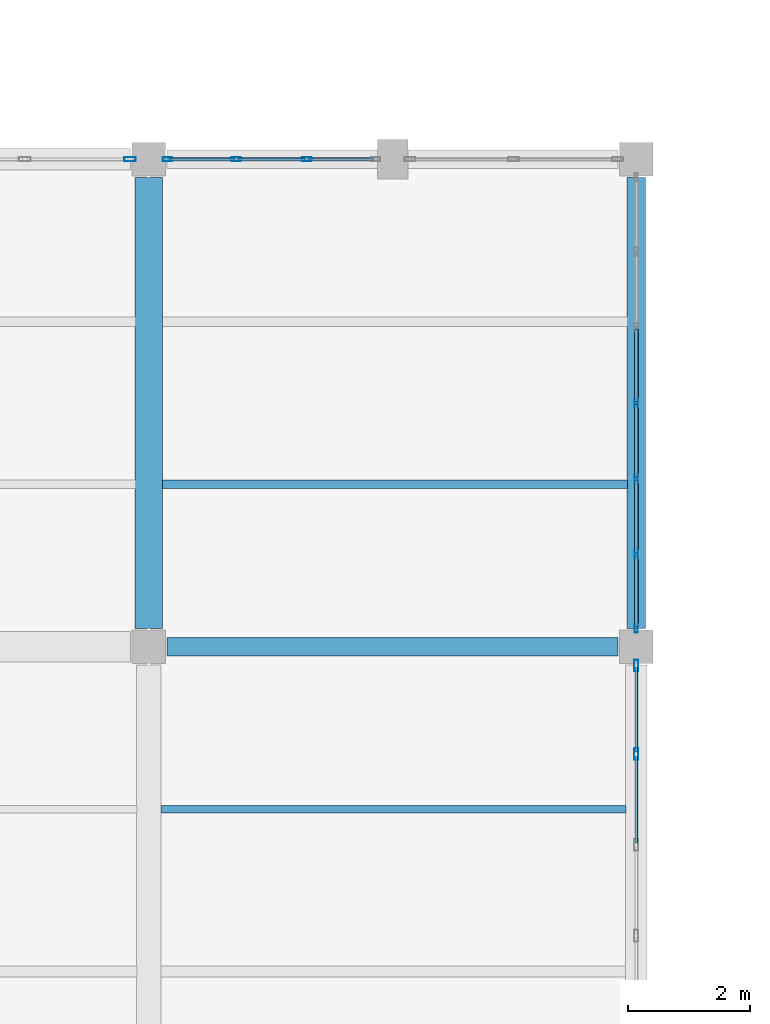
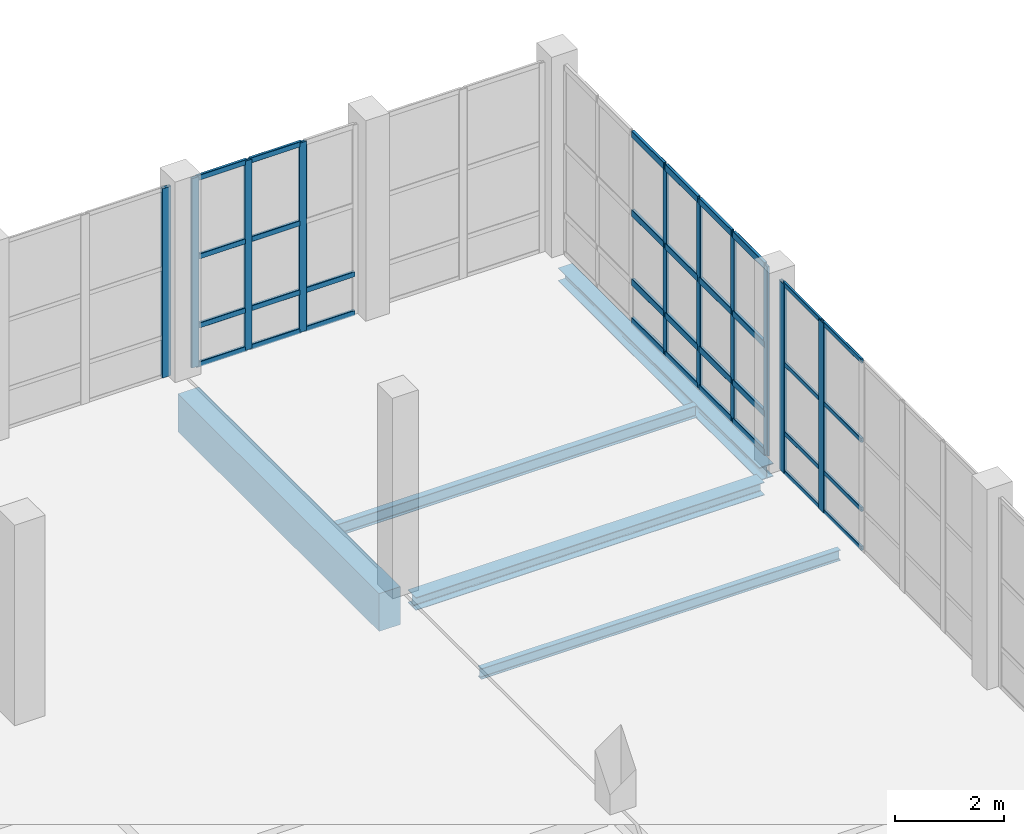
# One storey, part 34 of 183: 44 members, 5 beams, 4 elements without a shape of their own.
"""IFC4 building model written with IfcOpenShell, lengths in metres."""

from ifc_helpers import new_model, si_unit, direction, frame, origin, origin_2d, place, context, subcontext, project, spatial, rectangle, hollow_rectangle, i_section, extrude, material, material_profile, profile_set, type_object, element, aggregate, save


model = new_model("IFC4")

# Units and contexts
model_context = context("Model", 3, precision=1e-05, world=origin(), true_north=direction((0.0, 1.0)))
body_context = subcontext(model_context, "Body", "Model", "MODEL_VIEW")
ifc_project = project(units=[si_unit("LENGTHUNIT", "METRE"), si_unit("AREAUNIT", "SQUARE_METRE"), si_unit("VOLUMEUNIT", "CUBIC_METRE"), si_unit("PLANEANGLEUNIT", "RADIAN"), si_unit("MASSUNIT", "GRAM", prefix="KILO")], contexts=[model_context])

# Site, building, storey
site_placement = place(None, origin())
site = spatial("IfcSite", under=ifc_project, at=site_placement, CompositionType="ELEMENT")
building_placement = place(site_placement, origin())
building = spatial("IfcBuilding", under=site, at=building_placement, Name="Luwemba Playhouse", CompositionType="ELEMENT")
storey_placement = place(building_placement, frame((0.0, 0.0, 4.800048828125)))
storey = spatial("IfcBuildingStorey", under=building, at=storey_placement, Name="L01", CompositionType="ELEMENT", Elevation=4.800048828125)

# Beams
ifc_material_1 = material(Name="Concrete C40/50", Category="concrete")
ifc_material_profile_1 = material_profile(ifc_material_1, rectangle(XDim=0.449951171875, YDim=0.85009765625, at=origin_2d()))
ifc_profile_set_1 = profile_set([ifc_material_profile_1], Name="Concrete C40/50")
beam_type_1 = type_object("IfcBeamType", Name="BM-RB05", PredefinedType="BEAM", material=ifc_profile_set_1)
beam_1_placement = place(storey_placement, frame((52.0, 19.300048828125, -0.675048828125), z_axis=(0.0, 1.0, 0.0), x_axis=(-1.0, 0.0, 0.0)))
element("IfcBeam", 1, at=beam_1_placement, inside=storey, type_object=beam_type_1, Name="L01 transverse girder 0515", PredefinedType="BEAM", context=body_context, shape_type="SweptSolid", body=[
    extrude(rectangle(XDim=0.449951171875, YDim=0.85009765625, at=origin_2d()), origin(), (0.0, 0.0, 1.0), 7.39990234375),
])
ifc_material_2 = material(Name="Steel S355", Category="steel")
ifc_material_profile_2 = material_profile(ifc_material_2, i_section(OverallWidth=0.300048828125, OverallDepth=0.2900390625, WebThickness=0.008544921875, FlangeThickness=0.013916015625, FilletRadius=0.027099609375, at=origin_2d()))
ifc_profile_set_2 = profile_set([ifc_material_profile_2], Name="Steel S355")
beam_type_2 = type_object("IfcBeamType", Name="BM-SB03", PredefinedType="BEAM", material=ifc_profile_set_2)
beam_2_placement = place(storey_placement, frame((52.300048828125, 19.0, -0.39501953125), z_axis=(1.0, 0.0, 0.0), x_axis=(0.0, 1.0, 0.0)))
element("IfcBeam", 2, at=beam_2_placement, inside=storey, type_object=beam_type_2, Name="L01 grid girder 0488", PredefinedType="BEAM", context=body_context, shape_type="SweptSolid", body=[
    extrude(i_section(OverallWidth=0.300048828125, OverallDepth=0.2900390625, WebThickness=0.008544921875, FlangeThickness=0.013916015625, FilletRadius=0.027099609375, at=origin_2d()), origin(), (0.0, 0.0, 1.0), 7.39990234375),
])
ifc_material_profile_3 = material_profile(ifc_material_2, i_section(OverallWidth=0.1201171875, OverallDepth=0.239990234375, WebThickness=0.006103515625, FlangeThickness=0.009765625, FilletRadius=0.014892578125, at=origin_2d()))
ifc_profile_set_3 = profile_set([ifc_material_profile_3], Name="Steel S355")
beam_type_3 = type_object("IfcBeamType", Name="BM-SJ03", PredefinedType="JOIST", material=ifc_profile_set_3)
beam_3_placement = place(storey_placement, frame((52.196044921875, 16.333251953125, -0.3701171875), z_axis=(1.0, 0.0, 0.0), x_axis=(0.0, 1.0, 0.0)))
element("IfcBeam", 3, at=beam_3_placement, inside=storey, type_object=beam_type_3, Name="L01 composite floor joist 0304", PredefinedType="JOIST", context=body_context, shape_type="SweptSolid", body=[
    extrude(i_section(OverallWidth=0.1201171875, OverallDepth=0.239990234375, WebThickness=0.006103515625, FlangeThickness=0.009765625, FilletRadius=0.014892578125, at=origin_2d()), origin(), (0.0, 0.0, 1.0), 7.633056640625),
])
ifc_material_profile_4 = material_profile(ifc_material_2, i_section(OverallWidth=0.135009765625, OverallDepth=0.27001953125, WebThickness=0.006591796875, FlangeThickness=0.01025390625, FilletRadius=0.014892578125, at=origin_2d()))
ifc_profile_set_4 = profile_set([ifc_material_profile_4], Name="Steel S355")
beam_type_4 = type_object("IfcBeamType", Name="BM-SJ04", PredefinedType="JOIST", material=ifc_profile_set_4)
beam_4_placement = place(storey_placement, frame((52.220947265625, 21.666748046875, -0.385009765625), z_axis=(1.0, 0.0, 0.0), x_axis=(0.0, 1.0, 0.0)))
element("IfcBeam", 4, at=beam_4_placement, inside=storey, type_object=beam_type_4, Name="L01 composite floor joist 0305", PredefinedType="JOIST", context=body_context, shape_type="SweptSolid", body=[
    extrude(i_section(OverallWidth=0.135009765625, OverallDepth=0.27001953125, WebThickness=0.006591796875, FlangeThickness=0.01025390625, FilletRadius=0.014892578125, at=origin_2d()), origin(), (0.0, 0.0, 1.0), 7.633056640625),
])
ifc_material_profile_5 = material_profile(ifc_material_2, i_section(OverallWidth=0.300048828125, OverallDepth=0.300048828125, WebThickness=0.010986328125, FlangeThickness=0.01904296875, FilletRadius=0.027099609375, at=origin_2d()))
ifc_profile_set_5 = profile_set([ifc_material_profile_5], Name="Steel S355")
beam_type_5 = type_object("IfcBeamType", Name="BM-SSP1", PredefinedType="SPANDREL", material=ifc_profile_set_5)
beam_5_placement = place(storey_placement, frame((60.0, 19.300048828125, -0.400146484375), z_axis=(0.0, 1.0, 0.0), x_axis=(-1.0, 0.0, 0.0)))
element("IfcBeam", 5, at=beam_5_placement, inside=storey, type_object=beam_type_5, Name="L01 transverse girder 0518", PredefinedType="SPANDREL", context=body_context, shape_type="SweptSolid", body=[
    extrude(i_section(OverallWidth=0.300048828125, OverallDepth=0.300048828125, WebThickness=0.010986328125, FlangeThickness=0.01904296875, FilletRadius=0.027099609375, at=origin_2d()), origin(), (0.0, 0.0, 1.0), 7.39990234375),
])

# Curtain wall, members
ifc_material_3 = material(Name="Solar-control double glazing", Category="glass")
curtain_wall_type_1 = type_object("IfcCurtainWallType", Name="CW-CW103", PredefinedType="USERDEFINED", material=ifc_material_3)
curtain_wall_1_placement = place(storey_placement, origin())
curtain_wall_1 = element("IfcCurtainWall", 6, at=curtain_wall_1_placement, inside=storey, type_object=curtain_wall_type_1, Name="L01 V5W unitised curtain wall 134", ObjectType="UNITISED GLAZING", PredefinedType="USERDEFINED")
ifc_material_4 = material(Name="Aluminium 6063-T6", Category="aluminium")
ifc_material_profile_6 = material_profile(ifc_material_4, hollow_rectangle(XDim=0.06005859375, YDim=0.159912109375, WallThickness=0.00390625, InnerFilletRadius=0.006103515625, OuterFilletRadius=0.010009765625, at=origin_2d()))
ifc_profile_set_6 = profile_set([ifc_material_profile_6], Name="Aluminium 6063-T6")
member_type_1 = type_object("IfcMemberType", Name="CWM-M1", PredefinedType="MULLION", material=ifc_profile_set_6)
member_1_placement = place(storey_placement, frame((52.304931640625, 27.0, 0.0), z_axis=(0.0, 0.0, 1.0), x_axis=(0.0, 1.0, 0.0)))
member_1 = element("IfcMember", 7, at=member_1_placement, type_object=member_type_1, Name="CW103 mullion 1", PredefinedType="MULLION", context=body_context, shape_type="SweptSolid", body=[
    extrude(hollow_rectangle(XDim=0.06005859375, YDim=0.159912109375, WallThickness=0.00390625, InnerFilletRadius=0.006103515625, OuterFilletRadius=0.010009765625, at=origin_2d()), origin(), (0.0, 0.0, 1.0), 4.25),
])
member_2_placement = place(storey_placement, frame((53.433349609375, 27.0, 0.0), z_axis=(0.0, 0.0, 1.0), x_axis=(0.0, 1.0, 0.0)))
member_2 = element("IfcMember", 8, at=member_2_placement, type_object=member_type_1, Name="CW103 mullion 2", PredefinedType="MULLION", context=body_context, shape_type="SweptSolid", body=[
    extrude(hollow_rectangle(XDim=0.06005859375, YDim=0.159912109375, WallThickness=0.00390625, InnerFilletRadius=0.006103515625, OuterFilletRadius=0.010009765625, at=origin_2d()), origin(), (0.0, 0.0, 1.0), 4.25),
])
member_3_placement = place(storey_placement, frame((54.591552734375, 27.0, 0.0), z_axis=(0.0, 0.0, 1.0), x_axis=(0.0, 1.0, 0.0)))
member_3 = element("IfcMember", 9, at=member_3_placement, type_object=member_type_1, Name="CW103 mullion 3", PredefinedType="MULLION", context=body_context, shape_type="SweptSolid", body=[
    extrude(hollow_rectangle(XDim=0.06005859375, YDim=0.159912109375, WallThickness=0.00390625, InnerFilletRadius=0.006103515625, OuterFilletRadius=0.010009765625, at=origin_2d()), origin(), (0.0, 0.0, 1.0), 4.25),
])

curtain_wall_type_2 = type_object("IfcCurtainWallType", Name="CW-CW105", PredefinedType="USERDEFINED", material=ifc_material_3)
curtain_wall_2_placement = place(storey_placement, origin())
curtain_wall_2 = element("IfcCurtainWall", 10, at=curtain_wall_2_placement, inside=storey, type_object=curtain_wall_type_2, Name="L01 V5W unitised curtain wall 136", ObjectType="UNITISED GLAZING", PredefinedType="USERDEFINED")
ifc_material_profile_7 = material_profile(ifc_material_4, hollow_rectangle(XDim=0.054931640625, YDim=0.139892578125, WallThickness=0.00390625, InnerFilletRadius=0.006103515625, OuterFilletRadius=0.010009765625, at=origin_2d()))
ifc_profile_set_7 = profile_set([ifc_material_profile_7], Name="Aluminium 6063-T6")
member_type_2 = type_object("IfcMemberType", Name="CWM-M3", PredefinedType="MULLION", material=ifc_profile_set_7)
member_4_placement = place(storey_placement, frame((60.0, 23.0, 0.0), z_axis=(0.0, 0.0, 1.0), x_axis=(1.0, 0.0, 0.0)))
member_4 = element("IfcMember", 11, at=member_4_placement, type_object=member_type_2, Name="CW105 mullion 4", PredefinedType="MULLION", context=body_context, shape_type="SweptSolid", body=[
    extrude(hollow_rectangle(XDim=0.054931640625, YDim=0.139892578125, WallThickness=0.00390625, InnerFilletRadius=0.006103515625, OuterFilletRadius=0.010009765625, at=origin_2d()), origin(), (0.0, 0.0, 1.0), 4.25),
])
member_5_placement = place(storey_placement, frame((60.0, 21.75830078125, 0.0), z_axis=(0.0, 0.0, 1.0), x_axis=(1.0, 0.0, 0.0)))
member_5 = element("IfcMember", 12, at=member_5_placement, type_object=member_type_2, Name="CW105 mullion 5", PredefinedType="MULLION", context=body_context, shape_type="SweptSolid", body=[
    extrude(hollow_rectangle(XDim=0.054931640625, YDim=0.139892578125, WallThickness=0.00390625, InnerFilletRadius=0.006103515625, OuterFilletRadius=0.010009765625, at=origin_2d()), origin(), (0.0, 0.0, 1.0), 4.25),
])
member_6_placement = place(storey_placement, frame((60.0, 20.5166015625, 0.0), z_axis=(0.0, 0.0, 1.0), x_axis=(1.0, 0.0, 0.0)))
member_6 = element("IfcMember", 13, at=member_6_placement, type_object=member_type_2, Name="CW105 mullion 6", PredefinedType="MULLION", context=body_context, shape_type="SweptSolid", body=[
    extrude(hollow_rectangle(XDim=0.054931640625, YDim=0.139892578125, WallThickness=0.00390625, InnerFilletRadius=0.006103515625, OuterFilletRadius=0.010009765625, at=origin_2d()), origin(), (0.0, 0.0, 1.0), 4.25),
])
member_7_placement = place(storey_placement, frame((60.0, 19.302490234375, 0.0), z_axis=(0.0, 0.0, 1.0), x_axis=(1.0, 0.0, 0.0)))
member_7 = element("IfcMember", 14, at=member_7_placement, type_object=member_type_2, Name="CW105 mullion 7", PredefinedType="MULLION", context=body_context, shape_type="SweptSolid", body=[
    extrude(hollow_rectangle(XDim=0.054931640625, YDim=0.139892578125, WallThickness=0.00390625, InnerFilletRadius=0.006103515625, OuterFilletRadius=0.010009765625, at=origin_2d()), origin(), (0.0, 0.0, 1.0), 4.25),
])

# Curtain wall, member
curtain_wall_type_3 = type_object("IfcCurtainWallType", Name="CW-CW102", PredefinedType="USERDEFINED", material=ifc_material_3)
curtain_wall_3_placement = place(storey_placement, origin())
curtain_wall_3 = element("IfcCurtainWall", 15, at=curtain_wall_3_placement, inside=storey, type_object=curtain_wall_type_3, Name="L01 V5W unitised curtain wall 133", ObjectType="UNITISED GLAZING", PredefinedType="USERDEFINED")
ifc_material_profile_8 = material_profile(ifc_material_4, hollow_rectangle(XDim=0.070068359375, YDim=0.18994140625, WallThickness=0.0048828125, InnerFilletRadius=0.007568359375, OuterFilletRadius=0.012451171875, at=origin_2d()))
ifc_profile_set_8 = profile_set([ifc_material_profile_8], Name="Aluminium 6063-T6")
member_type_3 = type_object("IfcMemberType", Name="CWM-M4", PredefinedType="MULLION", material=ifc_profile_set_8)
member_8_placement = place(storey_placement, frame((51.68994140625, 27.0, 0.0), z_axis=(0.0, 0.0, 1.0), x_axis=(0.0, 1.0, 0.0)))
member_8 = element("IfcMember", 16, at=member_8_placement, type_object=member_type_3, Name="CW102 mullion 3", PredefinedType="MULLION", context=body_context, shape_type="SweptSolid", body=[
    extrude(hollow_rectangle(XDim=0.070068359375, YDim=0.18994140625, WallThickness=0.0048828125, InnerFilletRadius=0.007568359375, OuterFilletRadius=0.012451171875, at=origin_2d()), origin(), (0.0, 0.0, 1.0), 4.25),
])
aggregate(curtain_wall_3, [member_8])

# Curtain wall, members
curtain_wall_type_4 = type_object("IfcCurtainWallType", Name="CW-CW73", PredefinedType="USERDEFINED", material=ifc_material_3)
curtain_wall_4_placement = place(storey_placement, origin())
curtain_wall_4 = element("IfcCurtainWall", 17, at=curtain_wall_4_placement, inside=storey, type_object=curtain_wall_type_4, Name="L01 V5W unitised curtain wall 137", ObjectType="UNITISED GLAZING", PredefinedType="USERDEFINED")
member_9_placement = place(storey_placement, frame((60.0, 18.68994140625, 0.0), z_axis=(0.0, 0.0, 1.0), x_axis=(1.0, 0.0, 0.0)))
member_9 = element("IfcMember", 18, at=member_9_placement, type_object=member_type_3, Name="CW73 mullion 1", PredefinedType="MULLION", context=body_context, shape_type="SweptSolid", body=[
    extrude(hollow_rectangle(XDim=0.070068359375, YDim=0.18994140625, WallThickness=0.0048828125, InnerFilletRadius=0.007568359375, OuterFilletRadius=0.012451171875, at=origin_2d()), origin(), (0.0, 0.0, 1.0), 4.25),
])
member_10_placement = place(storey_placement, frame((60.0, 17.235107421875, 0.0), z_axis=(0.0, 0.0, 1.0), x_axis=(1.0, 0.0, 0.0)))
member_10 = element("IfcMember", 19, at=member_10_placement, type_object=member_type_3, Name="CW73 mullion 2", PredefinedType="MULLION", context=body_context, shape_type="SweptSolid", body=[
    extrude(hollow_rectangle(XDim=0.070068359375, YDim=0.18994140625, WallThickness=0.0048828125, InnerFilletRadius=0.007568359375, OuterFilletRadius=0.012451171875, at=origin_2d()), origin(), (0.0, 0.0, 1.0), 4.25),
])

# Member
ifc_material_profile_9 = material_profile(ifc_material_4, hollow_rectangle(XDim=0.06005859375, YDim=0.1201171875, WallThickness=0.00390625, InnerFilletRadius=0.006103515625, OuterFilletRadius=0.010009765625, at=origin_2d()))
ifc_profile_set_9 = profile_set([ifc_material_profile_9], Name="Aluminium 6063-T6")
member_type_4 = type_object("IfcMemberType", Name="CWT-T1", PredefinedType="USERDEFINED", material=ifc_profile_set_9)
member_11_placement = place(storey_placement, frame((52.3349609375, 27.0, 0.030029296875), z_axis=(1.0, 0.0, 0.0), x_axis=(0.0, 1.0, 0.0)))
member_11 = element("IfcMember", 20, at=member_11_placement, type_object=member_type_4, Name="CW103 transom 1.1", ObjectType="TRANSOM", PredefinedType="USERDEFINED", context=body_context, shape_type="SweptSolid", body=[
    extrude(hollow_rectangle(XDim=0.06005859375, YDim=0.1201171875, WallThickness=0.00390625, InnerFilletRadius=0.006103515625, OuterFilletRadius=0.010009765625, at=origin_2d()), origin(), (0.0, 0.0, 1.0), 1.068359375),
])

member_12_placement = place(storey_placement, frame((52.3349609375, 27.0, 0.89990234375), z_axis=(1.0, 0.0, 0.0), x_axis=(0.0, 1.0, 0.0)))
member_12 = element("IfcMember", 21, at=member_12_placement, type_object=member_type_4, Name="CW103 transom 1.2", ObjectType="TRANSOM", PredefinedType="USERDEFINED", context=body_context, shape_type="SweptSolid", body=[
    extrude(hollow_rectangle(XDim=0.06005859375, YDim=0.1201171875, WallThickness=0.00390625, InnerFilletRadius=0.006103515625, OuterFilletRadius=0.010009765625, at=origin_2d()), origin(), (0.0, 0.0, 1.0), 1.068359375),
])

member_13_placement = place(storey_placement, frame((52.3349609375, 27.0, 2.449951171875), z_axis=(1.0, 0.0, 0.0), x_axis=(0.0, 1.0, 0.0)))
member_13 = element("IfcMember", 22, at=member_13_placement, type_object=member_type_4, Name="CW103 transom 1.3", ObjectType="TRANSOM", PredefinedType="USERDEFINED", context=body_context, shape_type="SweptSolid", body=[
    extrude(hollow_rectangle(XDim=0.06005859375, YDim=0.1201171875, WallThickness=0.00390625, InnerFilletRadius=0.006103515625, OuterFilletRadius=0.010009765625, at=origin_2d()), origin(), (0.0, 0.0, 1.0), 1.068359375),
])

member_14_placement = place(storey_placement, frame((52.3349609375, 27.0, 4.219970703125), z_axis=(1.0, 0.0, 0.0), x_axis=(0.0, 1.0, 0.0)))
member_14 = element("IfcMember", 23, at=member_14_placement, type_object=member_type_4, Name="CW103 transom 1.4", ObjectType="TRANSOM", PredefinedType="USERDEFINED", context=body_context, shape_type="SweptSolid", body=[
    extrude(hollow_rectangle(XDim=0.06005859375, YDim=0.1201171875, WallThickness=0.00390625, InnerFilletRadius=0.006103515625, OuterFilletRadius=0.010009765625, at=origin_2d()), origin(), (0.0, 0.0, 1.0), 1.068359375),
])

member_15_placement = place(storey_placement, frame((53.46337890625, 27.0, 0.030029296875), z_axis=(1.0, 0.0, 0.0), x_axis=(0.0, 1.0, 0.0)))
member_15 = element("IfcMember", 24, at=member_15_placement, type_object=member_type_4, Name="CW103 transom 2.1", ObjectType="TRANSOM", PredefinedType="USERDEFINED", context=body_context, shape_type="SweptSolid", body=[
    extrude(hollow_rectangle(XDim=0.06005859375, YDim=0.1201171875, WallThickness=0.00390625, InnerFilletRadius=0.006103515625, OuterFilletRadius=0.010009765625, at=origin_2d()), origin(), (0.0, 0.0, 1.0), 1.098388671875),
])

member_16_placement = place(storey_placement, frame((53.46337890625, 27.0, 0.89990234375), z_axis=(1.0, 0.0, 0.0), x_axis=(0.0, 1.0, 0.0)))
member_16 = element("IfcMember", 25, at=member_16_placement, type_object=member_type_4, Name="CW103 transom 2.2", ObjectType="TRANSOM", PredefinedType="USERDEFINED", context=body_context, shape_type="SweptSolid", body=[
    extrude(hollow_rectangle(XDim=0.06005859375, YDim=0.1201171875, WallThickness=0.00390625, InnerFilletRadius=0.006103515625, OuterFilletRadius=0.010009765625, at=origin_2d()), origin(), (0.0, 0.0, 1.0), 1.098388671875),
])

member_17_placement = place(storey_placement, frame((53.46337890625, 27.0, 2.449951171875), z_axis=(1.0, 0.0, 0.0), x_axis=(0.0, 1.0, 0.0)))
member_17 = element("IfcMember", 26, at=member_17_placement, type_object=member_type_4, Name="CW103 transom 2.3", ObjectType="TRANSOM", PredefinedType="USERDEFINED", context=body_context, shape_type="SweptSolid", body=[
    extrude(hollow_rectangle(XDim=0.06005859375, YDim=0.1201171875, WallThickness=0.00390625, InnerFilletRadius=0.006103515625, OuterFilletRadius=0.010009765625, at=origin_2d()), origin(), (0.0, 0.0, 1.0), 1.098388671875),
])

member_18_placement = place(storey_placement, frame((53.46337890625, 27.0, 4.219970703125), z_axis=(1.0, 0.0, 0.0), x_axis=(0.0, 1.0, 0.0)))
member_18 = element("IfcMember", 27, at=member_18_placement, type_object=member_type_4, Name="CW103 transom 2.4", ObjectType="TRANSOM", PredefinedType="USERDEFINED", context=body_context, shape_type="SweptSolid", body=[
    extrude(hollow_rectangle(XDim=0.06005859375, YDim=0.1201171875, WallThickness=0.00390625, InnerFilletRadius=0.006103515625, OuterFilletRadius=0.010009765625, at=origin_2d()), origin(), (0.0, 0.0, 1.0), 1.098388671875),
])

member_19_placement = place(storey_placement, frame((54.62158203125, 27.0, 0.030029296875), z_axis=(1.0, 0.0, 0.0), x_axis=(0.0, 1.0, 0.0)))
member_19 = element("IfcMember", 28, at=member_19_placement, type_object=member_type_4, Name="CW103 transom 3.1", ObjectType="TRANSOM", PredefinedType="USERDEFINED", context=body_context, shape_type="SweptSolid", body=[
    extrude(hollow_rectangle(XDim=0.06005859375, YDim=0.1201171875, WallThickness=0.00390625, InnerFilletRadius=0.006103515625, OuterFilletRadius=0.010009765625, at=origin_2d()), origin(), (0.0, 0.0, 1.0), 1.068359375),
])

member_20_placement = place(storey_placement, frame((54.62158203125, 27.0, 0.89990234375), z_axis=(1.0, 0.0, 0.0), x_axis=(0.0, 1.0, 0.0)))
member_20 = element("IfcMember", 29, at=member_20_placement, type_object=member_type_4, Name="CW103 transom 3.2", ObjectType="TRANSOM", PredefinedType="USERDEFINED", context=body_context, shape_type="SweptSolid", body=[
    extrude(hollow_rectangle(XDim=0.06005859375, YDim=0.1201171875, WallThickness=0.00390625, InnerFilletRadius=0.006103515625, OuterFilletRadius=0.010009765625, at=origin_2d()), origin(), (0.0, 0.0, 1.0), 1.068359375),
])

aggregate(curtain_wall_1, [member_1, member_2, member_3, member_11, member_12, member_13, member_14, member_15, member_16, member_17, member_18, member_19, member_20])

ifc_material_profile_10 = material_profile(ifc_material_4, hollow_rectangle(XDim=0.06494140625, YDim=0.14990234375, WallThickness=0.00390625, InnerFilletRadius=0.006103515625, OuterFilletRadius=0.010009765625, at=origin_2d()))
ifc_profile_set_10 = profile_set([ifc_material_profile_10], Name="Aluminium 6063-T6")
member_type_5 = type_object("IfcMemberType", Name="CWT-T3", PredefinedType="USERDEFINED", material=ifc_profile_set_10)
member_21_placement = place(storey_placement, frame((60.0, 24.214111328125, 0.032470703125), z_axis=(0.0, -1.0, 0.0), x_axis=(1.0, 0.0, 0.0)))
member_21 = element("IfcMember", 30, at=member_21_placement, type_object=member_type_5, Name="CW105 transom 3.1", ObjectType="TRANSOM", PredefinedType="USERDEFINED", context=body_context, shape_type="SweptSolid", body=[
    extrude(hollow_rectangle(XDim=0.06494140625, YDim=0.14990234375, WallThickness=0.00390625, InnerFilletRadius=0.006103515625, OuterFilletRadius=0.010009765625, at=origin_2d()), origin(), (0.0, 0.0, 1.0), 1.1865234375),
])

member_22_placement = place(storey_placement, frame((60.0, 24.214111328125, 0.89990234375), z_axis=(0.0, -1.0, 0.0), x_axis=(1.0, 0.0, 0.0)))
member_22 = element("IfcMember", 31, at=member_22_placement, type_object=member_type_5, Name="CW105 transom 3.2", ObjectType="TRANSOM", PredefinedType="USERDEFINED", context=body_context, shape_type="SweptSolid", body=[
    extrude(hollow_rectangle(XDim=0.06494140625, YDim=0.14990234375, WallThickness=0.00390625, InnerFilletRadius=0.006103515625, OuterFilletRadius=0.010009765625, at=origin_2d()), origin(), (0.0, 0.0, 1.0), 1.1865234375),
])

member_23_placement = place(storey_placement, frame((60.0, 24.214111328125, 2.449951171875), z_axis=(0.0, -1.0, 0.0), x_axis=(1.0, 0.0, 0.0)))
member_23 = element("IfcMember", 32, at=member_23_placement, type_object=member_type_5, Name="CW105 transom 3.3", ObjectType="TRANSOM", PredefinedType="USERDEFINED", context=body_context, shape_type="SweptSolid", body=[
    extrude(hollow_rectangle(XDim=0.06494140625, YDim=0.14990234375, WallThickness=0.00390625, InnerFilletRadius=0.006103515625, OuterFilletRadius=0.010009765625, at=origin_2d()), origin(), (0.0, 0.0, 1.0), 1.1865234375),
])

member_24_placement = place(storey_placement, frame((60.0, 24.214111328125, 4.217529296875), z_axis=(0.0, -1.0, 0.0), x_axis=(1.0, 0.0, 0.0)))
member_24 = element("IfcMember", 33, at=member_24_placement, type_object=member_type_5, Name="CW105 transom 3.4", ObjectType="TRANSOM", PredefinedType="USERDEFINED", context=body_context, shape_type="SweptSolid", body=[
    extrude(hollow_rectangle(XDim=0.06494140625, YDim=0.14990234375, WallThickness=0.00390625, InnerFilletRadius=0.006103515625, OuterFilletRadius=0.010009765625, at=origin_2d()), origin(), (0.0, 0.0, 1.0), 1.1865234375),
])

member_25_placement = place(storey_placement, frame((60.0, 22.972412109375, 0.032470703125), z_axis=(0.0, -1.0, 0.0), x_axis=(1.0, 0.0, 0.0)))
member_25 = element("IfcMember", 34, at=member_25_placement, type_object=member_type_5, Name="CW105 transom 4.1", ObjectType="TRANSOM", PredefinedType="USERDEFINED", context=body_context, shape_type="SweptSolid", body=[
    extrude(hollow_rectangle(XDim=0.06494140625, YDim=0.14990234375, WallThickness=0.00390625, InnerFilletRadius=0.006103515625, OuterFilletRadius=0.010009765625, at=origin_2d()), origin(), (0.0, 0.0, 1.0), 1.1865234375),
])

member_26_placement = place(storey_placement, frame((60.0, 22.972412109375, 0.89990234375), z_axis=(0.0, -1.0, 0.0), x_axis=(1.0, 0.0, 0.0)))
member_26 = element("IfcMember", 35, at=member_26_placement, type_object=member_type_5, Name="CW105 transom 4.2", ObjectType="TRANSOM", PredefinedType="USERDEFINED", context=body_context, shape_type="SweptSolid", body=[
    extrude(hollow_rectangle(XDim=0.06494140625, YDim=0.14990234375, WallThickness=0.00390625, InnerFilletRadius=0.006103515625, OuterFilletRadius=0.010009765625, at=origin_2d()), origin(), (0.0, 0.0, 1.0), 1.1865234375),
])

member_27_placement = place(storey_placement, frame((60.0, 22.972412109375, 2.449951171875), z_axis=(0.0, -1.0, 0.0), x_axis=(1.0, 0.0, 0.0)))
member_27 = element("IfcMember", 36, at=member_27_placement, type_object=member_type_5, Name="CW105 transom 4.3", ObjectType="TRANSOM", PredefinedType="USERDEFINED", context=body_context, shape_type="SweptSolid", body=[
    extrude(hollow_rectangle(XDim=0.06494140625, YDim=0.14990234375, WallThickness=0.00390625, InnerFilletRadius=0.006103515625, OuterFilletRadius=0.010009765625, at=origin_2d()), origin(), (0.0, 0.0, 1.0), 1.1865234375),
])

member_28_placement = place(storey_placement, frame((60.0, 22.972412109375, 4.217529296875), z_axis=(0.0, -1.0, 0.0), x_axis=(1.0, 0.0, 0.0)))
member_28 = element("IfcMember", 37, at=member_28_placement, type_object=member_type_5, Name="CW105 transom 4.4", ObjectType="TRANSOM", PredefinedType="USERDEFINED", context=body_context, shape_type="SweptSolid", body=[
    extrude(hollow_rectangle(XDim=0.06494140625, YDim=0.14990234375, WallThickness=0.00390625, InnerFilletRadius=0.006103515625, OuterFilletRadius=0.010009765625, at=origin_2d()), origin(), (0.0, 0.0, 1.0), 1.1865234375),
])

member_29_placement = place(storey_placement, frame((60.0, 21.730712890625, 0.032470703125), z_axis=(0.0, -1.0, 0.0), x_axis=(1.0, 0.0, 0.0)))
member_29 = element("IfcMember", 38, at=member_29_placement, type_object=member_type_5, Name="CW105 transom 5.1", ObjectType="TRANSOM", PredefinedType="USERDEFINED", context=body_context, shape_type="SweptSolid", body=[
    extrude(hollow_rectangle(XDim=0.06494140625, YDim=0.14990234375, WallThickness=0.00390625, InnerFilletRadius=0.006103515625, OuterFilletRadius=0.010009765625, at=origin_2d()), origin(), (0.0, 0.0, 1.0), 1.1865234375),
])

member_30_placement = place(storey_placement, frame((60.0, 21.730712890625, 0.89990234375), z_axis=(0.0, -1.0, 0.0), x_axis=(1.0, 0.0, 0.0)))
member_30 = element("IfcMember", 39, at=member_30_placement, type_object=member_type_5, Name="CW105 transom 5.2", ObjectType="TRANSOM", PredefinedType="USERDEFINED", context=body_context, shape_type="SweptSolid", body=[
    extrude(hollow_rectangle(XDim=0.06494140625, YDim=0.14990234375, WallThickness=0.00390625, InnerFilletRadius=0.006103515625, OuterFilletRadius=0.010009765625, at=origin_2d()), origin(), (0.0, 0.0, 1.0), 1.1865234375),
])

member_31_placement = place(storey_placement, frame((60.0, 21.730712890625, 2.449951171875), z_axis=(0.0, -1.0, 0.0), x_axis=(1.0, 0.0, 0.0)))
member_31 = element("IfcMember", 40, at=member_31_placement, type_object=member_type_5, Name="CW105 transom 5.3", ObjectType="TRANSOM", PredefinedType="USERDEFINED", context=body_context, shape_type="SweptSolid", body=[
    extrude(hollow_rectangle(XDim=0.06494140625, YDim=0.14990234375, WallThickness=0.00390625, InnerFilletRadius=0.006103515625, OuterFilletRadius=0.010009765625, at=origin_2d()), origin(), (0.0, 0.0, 1.0), 1.1865234375),
])

member_32_placement = place(storey_placement, frame((60.0, 21.730712890625, 4.217529296875), z_axis=(0.0, -1.0, 0.0), x_axis=(1.0, 0.0, 0.0)))
member_32 = element("IfcMember", 41, at=member_32_placement, type_object=member_type_5, Name="CW105 transom 5.4", ObjectType="TRANSOM", PredefinedType="USERDEFINED", context=body_context, shape_type="SweptSolid", body=[
    extrude(hollow_rectangle(XDim=0.06494140625, YDim=0.14990234375, WallThickness=0.00390625, InnerFilletRadius=0.006103515625, OuterFilletRadius=0.010009765625, at=origin_2d()), origin(), (0.0, 0.0, 1.0), 1.1865234375),
])

member_33_placement = place(storey_placement, frame((60.0, 20.4892578125, 0.032470703125), z_axis=(0.0, -1.0, 0.0), x_axis=(1.0, 0.0, 0.0)))
member_33 = element("IfcMember", 42, at=member_33_placement, type_object=member_type_5, Name="CW105 transom 6.1", ObjectType="TRANSOM", PredefinedType="USERDEFINED", context=body_context, shape_type="SweptSolid", body=[
    extrude(hollow_rectangle(XDim=0.06494140625, YDim=0.14990234375, WallThickness=0.00390625, InnerFilletRadius=0.006103515625, OuterFilletRadius=0.010009765625, at=origin_2d()), origin(), (0.0, 0.0, 1.0), 1.1591796875),
])

member_34_placement = place(storey_placement, frame((60.0, 20.4892578125, 0.89990234375), z_axis=(0.0, -1.0, 0.0), x_axis=(1.0, 0.0, 0.0)))
member_34 = element("IfcMember", 43, at=member_34_placement, type_object=member_type_5, Name="CW105 transom 6.2", ObjectType="TRANSOM", PredefinedType="USERDEFINED", context=body_context, shape_type="SweptSolid", body=[
    extrude(hollow_rectangle(XDim=0.06494140625, YDim=0.14990234375, WallThickness=0.00390625, InnerFilletRadius=0.006103515625, OuterFilletRadius=0.010009765625, at=origin_2d()), origin(), (0.0, 0.0, 1.0), 1.1591796875),
])

member_35_placement = place(storey_placement, frame((60.0, 20.4892578125, 2.449951171875), z_axis=(0.0, -1.0, 0.0), x_axis=(1.0, 0.0, 0.0)))
member_35 = element("IfcMember", 44, at=member_35_placement, type_object=member_type_5, Name="CW105 transom 6.3", ObjectType="TRANSOM", PredefinedType="USERDEFINED", context=body_context, shape_type="SweptSolid", body=[
    extrude(hollow_rectangle(XDim=0.06494140625, YDim=0.14990234375, WallThickness=0.00390625, InnerFilletRadius=0.006103515625, OuterFilletRadius=0.010009765625, at=origin_2d()), origin(), (0.0, 0.0, 1.0), 1.1591796875),
])

member_36_placement = place(storey_placement, frame((60.0, 20.4892578125, 4.217529296875), z_axis=(0.0, -1.0, 0.0), x_axis=(1.0, 0.0, 0.0)))
member_36 = element("IfcMember", 45, at=member_36_placement, type_object=member_type_5, Name="CW105 transom 6.4", ObjectType="TRANSOM", PredefinedType="USERDEFINED", context=body_context, shape_type="SweptSolid", body=[
    extrude(hollow_rectangle(XDim=0.06494140625, YDim=0.14990234375, WallThickness=0.00390625, InnerFilletRadius=0.006103515625, OuterFilletRadius=0.010009765625, at=origin_2d()), origin(), (0.0, 0.0, 1.0), 1.1591796875),
])

aggregate(curtain_wall_2, [member_4, member_5, member_6, member_7, member_21, member_22, member_23, member_24, member_25, member_26, member_27, member_28, member_29, member_30, member_31, member_32, member_33, member_34, member_35, member_36])

ifc_material_profile_11 = material_profile(ifc_material_4, hollow_rectangle(XDim=0.050048828125, YDim=0.10009765625, WallThickness=0.00341796875, InnerFilletRadius=0.00537109375, OuterFilletRadius=0.0087890625, at=origin_2d()))
ifc_profile_set_11 = profile_set([ifc_material_profile_11], Name="Aluminium 6063-T6")
member_type_6 = type_object("IfcMemberType", Name="CWT-T4", PredefinedType="USERDEFINED", material=ifc_profile_set_11)
member_37_placement = place(storey_placement, frame((60.0, 18.655029296875, 0.02490234375), z_axis=(0.0, -1.0, 0.0), x_axis=(1.0, 0.0, 0.0)))
member_37 = element("IfcMember", 46, at=member_37_placement, type_object=member_type_6, Name="CW73 transom 1.1", ObjectType="TRANSOM", PredefinedType="USERDEFINED", context=body_context, shape_type="SweptSolid", body=[
    extrude(hollow_rectangle(XDim=0.050048828125, YDim=0.10009765625, WallThickness=0.00341796875, InnerFilletRadius=0.00537109375, OuterFilletRadius=0.0087890625, at=origin_2d()), origin(), (0.0, 0.0, 1.0), 1.385009765625),
])

member_38_placement = place(storey_placement, frame((60.0, 18.655029296875, 0.89990234375), z_axis=(0.0, -1.0, 0.0), x_axis=(1.0, 0.0, 0.0)))
member_38 = element("IfcMember", 47, at=member_38_placement, type_object=member_type_6, Name="CW73 transom 1.2", ObjectType="TRANSOM", PredefinedType="USERDEFINED", context=body_context, shape_type="SweptSolid", body=[
    extrude(hollow_rectangle(XDim=0.050048828125, YDim=0.10009765625, WallThickness=0.00341796875, InnerFilletRadius=0.00537109375, OuterFilletRadius=0.0087890625, at=origin_2d()), origin(), (0.0, 0.0, 1.0), 1.385009765625),
])

member_39_placement = place(storey_placement, frame((60.0, 18.655029296875, 2.449951171875), z_axis=(0.0, -1.0, 0.0), x_axis=(1.0, 0.0, 0.0)))
member_39 = element("IfcMember", 48, at=member_39_placement, type_object=member_type_6, Name="CW73 transom 1.3", ObjectType="TRANSOM", PredefinedType="USERDEFINED", context=body_context, shape_type="SweptSolid", body=[
    extrude(hollow_rectangle(XDim=0.050048828125, YDim=0.10009765625, WallThickness=0.00341796875, InnerFilletRadius=0.00537109375, OuterFilletRadius=0.0087890625, at=origin_2d()), origin(), (0.0, 0.0, 1.0), 1.385009765625),
])

member_40_placement = place(storey_placement, frame((60.0, 18.655029296875, 4.224853515625), z_axis=(0.0, -1.0, 0.0), x_axis=(1.0, 0.0, 0.0)))
member_40 = element("IfcMember", 49, at=member_40_placement, type_object=member_type_6, Name="CW73 transom 1.4", ObjectType="TRANSOM", PredefinedType="USERDEFINED", context=body_context, shape_type="SweptSolid", body=[
    extrude(hollow_rectangle(XDim=0.050048828125, YDim=0.10009765625, WallThickness=0.00341796875, InnerFilletRadius=0.00537109375, OuterFilletRadius=0.0087890625, at=origin_2d()), origin(), (0.0, 0.0, 1.0), 1.385009765625),
])

member_41_placement = place(storey_placement, frame((60.0, 17.199951171875, 0.02490234375), z_axis=(0.0, -1.0, 0.0), x_axis=(1.0, 0.0, 0.0)))
member_41 = element("IfcMember", 50, at=member_41_placement, type_object=member_type_6, Name="CW73 transom 2.1", ObjectType="TRANSOM", PredefinedType="USERDEFINED", context=body_context, shape_type="SweptSolid", body=[
    extrude(hollow_rectangle(XDim=0.050048828125, YDim=0.10009765625, WallThickness=0.00341796875, InnerFilletRadius=0.00537109375, OuterFilletRadius=0.0087890625, at=origin_2d()), origin(), (0.0, 0.0, 1.0), 1.419921875),
])

member_42_placement = place(storey_placement, frame((60.0, 17.199951171875, 0.89990234375), z_axis=(0.0, -1.0, 0.0), x_axis=(1.0, 0.0, 0.0)))
member_42 = element("IfcMember", 51, at=member_42_placement, type_object=member_type_6, Name="CW73 transom 2.2", ObjectType="TRANSOM", PredefinedType="USERDEFINED", context=body_context, shape_type="SweptSolid", body=[
    extrude(hollow_rectangle(XDim=0.050048828125, YDim=0.10009765625, WallThickness=0.00341796875, InnerFilletRadius=0.00537109375, OuterFilletRadius=0.0087890625, at=origin_2d()), origin(), (0.0, 0.0, 1.0), 1.419921875),
])

member_43_placement = place(storey_placement, frame((60.0, 17.199951171875, 2.449951171875), z_axis=(0.0, -1.0, 0.0), x_axis=(1.0, 0.0, 0.0)))
member_43 = element("IfcMember", 52, at=member_43_placement, type_object=member_type_6, Name="CW73 transom 2.3", ObjectType="TRANSOM", PredefinedType="USERDEFINED", context=body_context, shape_type="SweptSolid", body=[
    extrude(hollow_rectangle(XDim=0.050048828125, YDim=0.10009765625, WallThickness=0.00341796875, InnerFilletRadius=0.00537109375, OuterFilletRadius=0.0087890625, at=origin_2d()), origin(), (0.0, 0.0, 1.0), 1.419921875),
])

member_44_placement = place(storey_placement, frame((60.0, 17.199951171875, 4.224853515625), z_axis=(0.0, -1.0, 0.0), x_axis=(1.0, 0.0, 0.0)))
member_44 = element("IfcMember", 53, at=member_44_placement, type_object=member_type_6, Name="CW73 transom 2.4", ObjectType="TRANSOM", PredefinedType="USERDEFINED", context=body_context, shape_type="SweptSolid", body=[
    extrude(hollow_rectangle(XDim=0.050048828125, YDim=0.10009765625, WallThickness=0.00341796875, InnerFilletRadius=0.00537109375, OuterFilletRadius=0.0087890625, at=origin_2d()), origin(), (0.0, 0.0, 1.0), 1.419921875),
])

aggregate(curtain_wall_4, [member_9, member_10, member_37, member_38, member_39, member_40, member_41, member_42, member_43, member_44])

save(model, "model.ifc")
